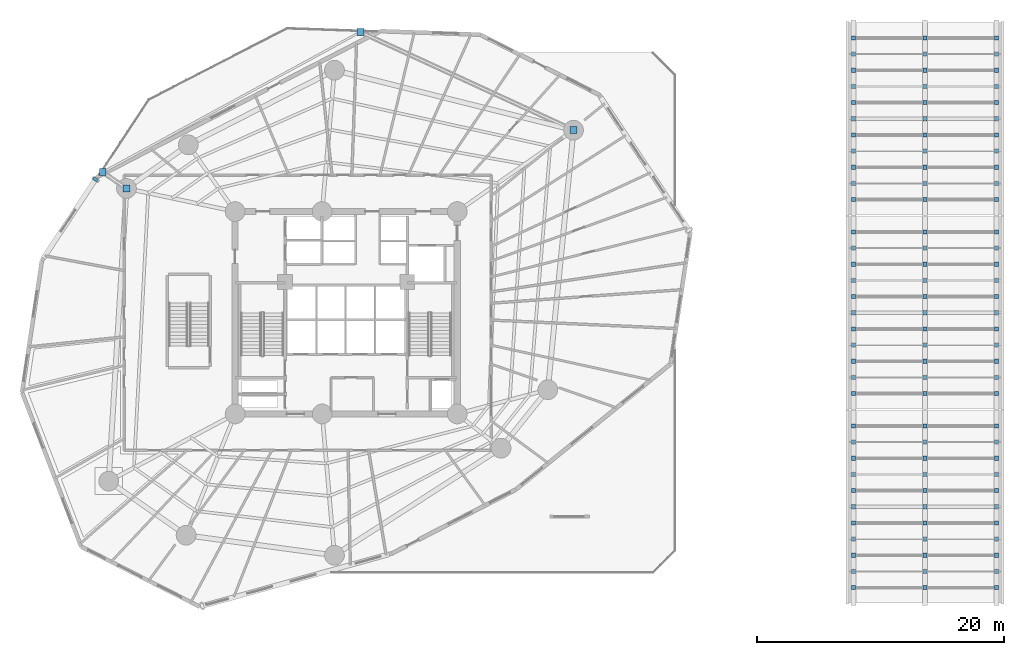
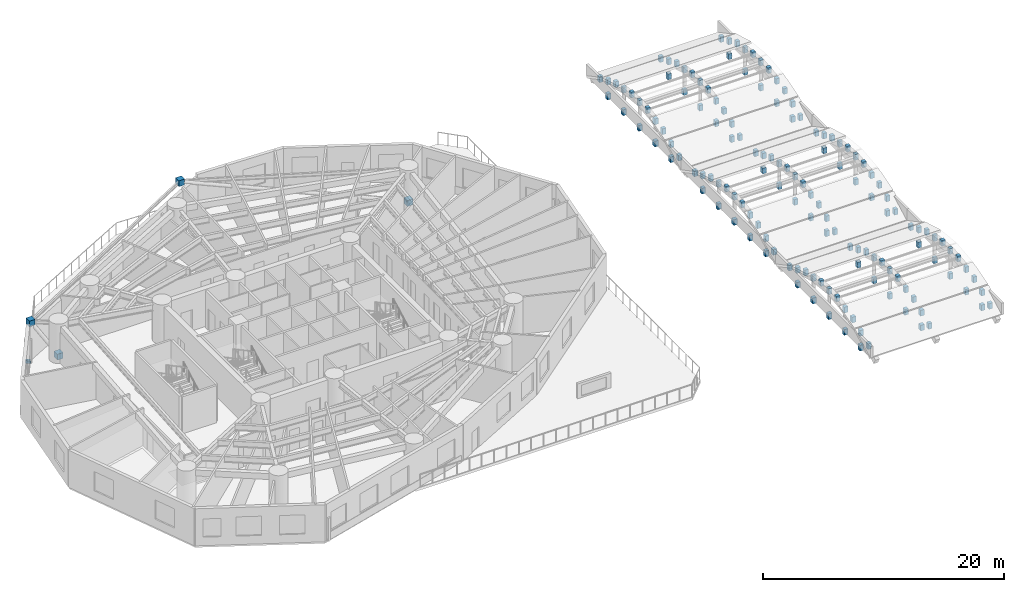
# One storey, part 12 of 16: 149 discrete accessories.
"""IFC4 building model written with IfcOpenShell, lengths in metres."""

from ifc_helpers import new_model, si_unit, direction, frame, origin, origin_with_axes, origin_2d, place, context, subcontext, project, spatial, rectangle, extrude, source, transform, mapped, material, type_object, element, save


model = new_model("IFC4")

# Units and contexts
model_context = context("Model", 3, precision=1e-05, world=origin(), true_north=direction((0.0, 1.0)))
body_context = subcontext(model_context, "Body", "Model", "MODEL_VIEW")
ifc_project = project(units=[si_unit("LENGTHUNIT", "METRE"), si_unit("AREAUNIT", "SQUARE_METRE"), si_unit("VOLUMEUNIT", "CUBIC_METRE"), si_unit("PLANEANGLEUNIT", "RADIAN"), si_unit("MASSUNIT", "GRAM", prefix="KILO")], contexts=[model_context])

# Site, building, storey
site_placement = place(None, origin())
site = spatial("IfcSite", under=ifc_project, at=site_placement, CompositionType="ELEMENT")
building_placement = place(site_placement, origin())
building = spatial("IfcBuilding", under=site, at=building_placement, Name="Karkom Vertical University and Central Library", CompositionType="ELEMENT")
storey_placement = place(building_placement, frame((0.0, 0.0, 22.5)))
storey = spatial("IfcBuildingStorey", under=building, at=storey_placement, Name="L05", CompositionType="ELEMENT", Elevation=22.5)

# Discrete accessories
ifc_material_1 = material(Name="Ductile cast iron EN-GJS-400-15", Category="metal")
discrete_accessory_type_1 = type_object("IfcDiscreteAccessoryType", Name="STR-ACC-NODECAP", PredefinedType="BRACKET", material=ifc_material_1)
shared_shape_1 = source(origin_with_axes(), body_context, "Body", "SweptSolid", [
    extrude(rectangle(XDim=0.340087890625, YDim=0.340087890625, at=origin_2d()), origin(), (0.0, 0.0, 1.0), 0.580078125),
])
for number, where, z_axis, x_axis, name in (
    (1, (69.60009765625, 4.22998046875, 0.012451171875), (0.0, 0.0, 1.0), (1.0, 0.0, 0.0), "Level 05 Cast Node Connector Level 05-LIB-VAULT1-PURLIN-1-1 A"),
    (2, (75.39990234375, 4.22998046875, 0.012451171875), (0.0, 0.0, 1.0), (1.0, 0.0, 0.0), "Level 05 Cast Node Connector Level 05-LIB-VAULT1-PURLIN-1-1 B"),
    (3, (81.199951171875, 4.22998046875, 0.012451171875), (0.0, 0.0, 1.0), (1.0, 0.0, 0.0), "Level 05 Cast Node Connector Level 05-LIB-VAULT1-PURLIN-1-2 B"),
    (4, (69.60009765625, 6.85009765625, 1.10498046875), (0.0, 0.0, 1.0), (1.0, 0.0, 0.0), "Level 05 Cast Node Connector Level 05-LIB-VAULT1-PURLIN-2-1 A"),
    (5, (75.39990234375, 6.85009765625, 1.10498046875), (0.0, 0.0, 1.0), (1.0, 0.0, 0.0), "Level 05 Cast Node Connector Level 05-LIB-VAULT1-PURLIN-2-1 B"),
    (6, (81.199951171875, 6.85009765625, 1.10498046875), (0.0, 0.0, 1.0), (1.0, 0.0, 0.0), "Level 05 Cast Node Connector Level 05-LIB-VAULT1-PURLIN-2-2 B"),
    (7, (69.60009765625, 9.469970703125, 1.6259765625), (0.0, 0.0, 1.0), (1.0, 0.0, 0.0), "Level 05 Cast Node Connector Level 05-LIB-VAULT1-PURLIN-3-1 A"),
    (8, (75.39990234375, 9.469970703125, 1.6259765625), (0.0, 0.0, 1.0), (1.0, 0.0, 0.0), "Level 05 Cast Node Connector Level 05-LIB-VAULT1-PURLIN-3-1 B"),
    (9, (81.199951171875, 9.469970703125, 1.6259765625), (0.0, 0.0, 1.0), (1.0, 0.0, 0.0), "Level 05 Cast Node Connector Level 05-LIB-VAULT1-PURLIN-3-2 B"),
    (10, (69.60009765625, 12.090087890625, 1.6259765625), (0.0, 0.0, 1.0), (1.0, 0.0, 0.0), "Level 05 Cast Node Connector Level 05-LIB-VAULT1-PURLIN-4-1 A"),
    (11, (75.39990234375, 12.090087890625, 1.6259765625), (0.0, 0.0, 1.0), (1.0, 0.0, 0.0), "Level 05 Cast Node Connector Level 05-LIB-VAULT1-PURLIN-4-1 B"),
    (12, (81.199951171875, 12.090087890625, 1.6259765625), (0.0, 0.0, 1.0), (1.0, 0.0, 0.0), "Level 05 Cast Node Connector Level 05-LIB-VAULT1-PURLIN-4-2 B"),
    (13, (69.60009765625, 14.7099609375, 1.10498046875), (0.0, 0.0, 1.0), (1.0, 0.0, 0.0), "Level 05 Cast Node Connector Level 05-LIB-VAULT1-PURLIN-5-1 A"),
    (14, (75.39990234375, 14.7099609375, 1.10498046875), (0.0, 0.0, 1.0), (1.0, 0.0, 0.0), "Level 05 Cast Node Connector Level 05-LIB-VAULT1-PURLIN-5-1 B"),
    (15, (81.199951171875, 14.7099609375, 1.10498046875), (0.0, 0.0, 1.0), (1.0, 0.0, 0.0), "Level 05 Cast Node Connector Level 05-LIB-VAULT1-PURLIN-5-2 B"),
    (16, (69.60009765625, 17.330078125, 0.012451171875), (0.0, 0.0, 1.0), (1.0, 0.0, 0.0), "Level 05 Cast Node Connector Level 05-LIB-VAULT1-PURLIN-6-1 A"),
    (17, (75.39990234375, 17.330078125, 0.012451171875), (0.0, 0.0, 1.0), (1.0, 0.0, 0.0), "Level 05 Cast Node Connector Level 05-LIB-VAULT1-PURLIN-6-1 B"),
    (18, (81.199951171875, 17.330078125, 0.012451171875), (0.0, 0.0, 1.0), (1.0, 0.0, 0.0), "Level 05 Cast Node Connector Level 05-LIB-VAULT1-PURLIN-6-2 B"),
    (19, (69.60009765625, 5.5400390625, -0.93994140625), (0.0, 0.0, 1.0), (1.0, 0.0, 0.0), "Level 05 Cast Node Connector Level 05-LIB-VAULT1-POST-1-1 A"),
    (20, (69.60009765625, 5.5400390625, 0.56298828125), (0.0, 0.0, 1.0), (1.0, 0.0, 0.0), "Level 05 Cast Node Connector Level 05-LIB-VAULT1-POST-1-1 B"),
    (21, (69.60009765625, 8.159912109375, -0.93994140625), (0.0, 0.0, 1.0), (1.0, 0.0, 0.0), "Level 05 Cast Node Connector Level 05-LIB-VAULT1-POST-1-2 A"),
    (22, (69.60009765625, 8.159912109375, 1.314453125), (0.0, 0.0, 1.0), (1.0, 0.0, 0.0), "Level 05 Cast Node Connector Level 05-LIB-VAULT1-POST-1-2 B"),
    (23, (69.60009765625, 10.780029296875, -0.93994140625), (0.0, 0.0, 1.0), (1.0, 0.0, 0.0), "Level 05 Cast Node Connector Level 05-LIB-VAULT1-POST-1-3 A"),
    (24, (69.60009765625, 10.780029296875, 1.58984375), (0.0, 0.0, 1.0), (1.0, 0.0, 0.0), "Level 05 Cast Node Connector Level 05-LIB-VAULT1-POST-1-3 B"),
    (25, (69.60009765625, 13.39990234375, -0.93994140625), (0.0, 0.0, 1.0), (1.0, 0.0, 0.0), "Level 05 Cast Node Connector Level 05-LIB-VAULT1-POST-1-4 A"),
    (26, (69.60009765625, 13.39990234375, 1.314453125), (0.0, 0.0, 1.0), (1.0, 0.0, 0.0), "Level 05 Cast Node Connector Level 05-LIB-VAULT1-POST-1-4 B"),
    (27, (69.60009765625, 16.02001953125, -0.93994140625), (0.0, 0.0, 1.0), (1.0, 0.0, 0.0), "Level 05 Cast Node Connector Level 05-LIB-VAULT1-POST-1-5 A"),
    (28, (69.60009765625, 16.02001953125, 0.56298828125), (0.0, 0.0, 1.0), (1.0, 0.0, 0.0), "Level 05 Cast Node Connector Level 05-LIB-VAULT1-POST-1-5 B"),
    (29, (75.39990234375, 5.5400390625, -0.93994140625), (0.0, 0.0, 1.0), (1.0, 0.0, 0.0), "Level 05 Cast Node Connector Level 05-LIB-VAULT1-POST-2-1 A"),
    (30, (75.39990234375, 5.5400390625, 0.56298828125), (0.0, 0.0, 1.0), (1.0, 0.0, 0.0), "Level 05 Cast Node Connector Level 05-LIB-VAULT1-POST-2-1 B"),
    (31, (75.39990234375, 8.159912109375, -0.93994140625), (0.0, 0.0, 1.0), (1.0, 0.0, 0.0), "Level 05 Cast Node Connector Level 05-LIB-VAULT1-POST-2-2 A"),
    (32, (75.39990234375, 8.159912109375, 1.314453125), (0.0, 0.0, 1.0), (1.0, 0.0, 0.0), "Level 05 Cast Node Connector Level 05-LIB-VAULT1-POST-2-2 B"),
    (33, (75.39990234375, 10.780029296875, -0.93994140625), (0.0, 0.0, 1.0), (1.0, 0.0, 0.0), "Level 05 Cast Node Connector Level 05-LIB-VAULT1-POST-2-3 A"),
    (34, (75.39990234375, 10.780029296875, 1.58984375), (0.0, 0.0, 1.0), (1.0, 0.0, 0.0), "Level 05 Cast Node Connector Level 05-LIB-VAULT1-POST-2-3 B"),
    (35, (75.39990234375, 13.39990234375, -0.93994140625), (0.0, 0.0, 1.0), (1.0, 0.0, 0.0), "Level 05 Cast Node Connector Level 05-LIB-VAULT1-POST-2-4 A"),
    (36, (75.39990234375, 13.39990234375, 1.314453125), (0.0, 0.0, 1.0), (1.0, 0.0, 0.0), "Level 05 Cast Node Connector Level 05-LIB-VAULT1-POST-2-4 B"),
    (37, (75.39990234375, 16.02001953125, -0.93994140625), (0.0, 0.0, 1.0), (1.0, 0.0, 0.0), "Level 05 Cast Node Connector Level 05-LIB-VAULT1-POST-2-5 A"),
    (38, (75.39990234375, 16.02001953125, 0.56298828125), (0.0, 0.0, 1.0), (1.0, 0.0, 0.0), "Level 05 Cast Node Connector Level 05-LIB-VAULT1-POST-2-5 B"),
    (39, (81.199951171875, 5.5400390625, -0.93994140625), (0.0, 0.0, 1.0), (1.0, 0.0, 0.0), "Level 05 Cast Node Connector Level 05-LIB-VAULT1-POST-3-1 A"),
    (40, (81.199951171875, 5.5400390625, 0.56298828125), (0.0, 0.0, 1.0), (1.0, 0.0, 0.0), "Level 05 Cast Node Connector Level 05-LIB-VAULT1-POST-3-1 B"),
    (41, (81.199951171875, 8.159912109375, -0.93994140625), (0.0, 0.0, 1.0), (1.0, 0.0, 0.0), "Level 05 Cast Node Connector Level 05-LIB-VAULT1-POST-3-2 A"),
    (42, (81.199951171875, 8.159912109375, 1.314453125), (0.0, 0.0, 1.0), (1.0, 0.0, 0.0), "Level 05 Cast Node Connector Level 05-LIB-VAULT1-POST-3-2 B"),
    (43, (81.199951171875, 10.780029296875, -0.93994140625), (0.0, 0.0, 1.0), (1.0, 0.0, 0.0), "Level 05 Cast Node Connector Level 05-LIB-VAULT1-POST-3-3 A"),
    (44, (81.199951171875, 10.780029296875, 1.58984375), (0.0, 0.0, 1.0), (1.0, 0.0, 0.0), "Level 05 Cast Node Connector Level 05-LIB-VAULT1-POST-3-3 B"),
    (45, (81.199951171875, 13.39990234375, -0.93994140625), (0.0, 0.0, 1.0), (1.0, 0.0, 0.0), "Level 05 Cast Node Connector Level 05-LIB-VAULT1-POST-3-4 A"),
    (46, (81.199951171875, 13.39990234375, 1.314453125), (0.0, 0.0, 1.0), (1.0, 0.0, 0.0), "Level 05 Cast Node Connector Level 05-LIB-VAULT1-POST-3-4 B"),
    (47, (81.199951171875, 16.02001953125, -0.93994140625), (0.0, 0.0, 1.0), (1.0, 0.0, 0.0), "Level 05 Cast Node Connector Level 05-LIB-VAULT1-POST-3-5 A"),
    (48, (81.199951171875, 16.02001953125, 0.56298828125), (0.0, 0.0, 1.0), (1.0, 0.0, 0.0), "Level 05 Cast Node Connector Level 05-LIB-VAULT1-POST-3-5 B"),
    (49, (69.60009765625, 19.949951171875, 0.012451171875), (0.0, 0.0, 1.0), (1.0, 0.0, 0.0), "Level 05 Cast Node Connector Level 05-LIB-VAULT2-PURLIN-1-1 A"),
    (50, (75.39990234375, 19.949951171875, 0.012451171875), (0.0, 0.0, 1.0), (1.0, 0.0, 0.0), "Level 05 Cast Node Connector Level 05-LIB-VAULT2-PURLIN-1-1 B"),
    (51, (81.199951171875, 19.949951171875, 0.012451171875), (0.0, 0.0, 1.0), (1.0, 0.0, 0.0), "Level 05 Cast Node Connector Level 05-LIB-VAULT2-PURLIN-1-2 B"),
    (52, (69.60009765625, 22.570068359375, 1.10498046875), (0.0, 0.0, 1.0), (1.0, 0.0, 0.0), "Level 05 Cast Node Connector Level 05-LIB-VAULT2-PURLIN-2-1 A"),
    (53, (75.39990234375, 22.570068359375, 1.10498046875), (0.0, 0.0, 1.0), (1.0, 0.0, 0.0), "Level 05 Cast Node Connector Level 05-LIB-VAULT2-PURLIN-2-1 B"),
    (54, (81.199951171875, 22.570068359375, 1.10498046875), (0.0, 0.0, 1.0), (1.0, 0.0, 0.0), "Level 05 Cast Node Connector Level 05-LIB-VAULT2-PURLIN-2-2 B"),
    (55, (69.60009765625, 25.18994140625, 1.6259765625), (0.0, 0.0, 1.0), (1.0, 0.0, 0.0), "Level 05 Cast Node Connector Level 05-LIB-VAULT2-PURLIN-3-1 A"),
    (56, (75.39990234375, 25.18994140625, 1.6259765625), (0.0, 0.0, 1.0), (1.0, 0.0, 0.0), "Level 05 Cast Node Connector Level 05-LIB-VAULT2-PURLIN-3-1 B"),
    (57, (81.199951171875, 25.18994140625, 1.6259765625), (0.0, 0.0, 1.0), (1.0, 0.0, 0.0), "Level 05 Cast Node Connector Level 05-LIB-VAULT2-PURLIN-3-2 B"),
    (58, (69.60009765625, 27.81005859375, 1.6259765625), (0.0, 0.0, 1.0), (1.0, 0.0, 0.0), "Level 05 Cast Node Connector Level 05-LIB-VAULT2-PURLIN-4-1 A"),
    (59, (75.39990234375, 27.81005859375, 1.6259765625), (0.0, 0.0, 1.0), (1.0, 0.0, 0.0), "Level 05 Cast Node Connector Level 05-LIB-VAULT2-PURLIN-4-1 B"),
    (60, (81.199951171875, 27.81005859375, 1.6259765625), (0.0, 0.0, 1.0), (1.0, 0.0, 0.0), "Level 05 Cast Node Connector Level 05-LIB-VAULT2-PURLIN-4-2 B"),
    (61, (69.60009765625, 30.429931640625, 1.10498046875), (0.0, 0.0, 1.0), (1.0, 0.0, 0.0), "Level 05 Cast Node Connector Level 05-LIB-VAULT2-PURLIN-5-1 A"),
    (62, (75.39990234375, 30.429931640625, 1.10498046875), (0.0, 0.0, 1.0), (1.0, 0.0, 0.0), "Level 05 Cast Node Connector Level 05-LIB-VAULT2-PURLIN-5-1 B"),
    (63, (81.199951171875, 30.429931640625, 1.10498046875), (0.0, 0.0, 1.0), (1.0, 0.0, 0.0), "Level 05 Cast Node Connector Level 05-LIB-VAULT2-PURLIN-5-2 B"),
    (64, (69.60009765625, 33.050048828125, 0.012451171875), (0.0, 0.0, 1.0), (1.0, 0.0, 0.0), "Level 05 Cast Node Connector Level 05-LIB-VAULT2-PURLIN-6-1 A"),
    (65, (75.39990234375, 33.050048828125, 0.012451171875), (0.0, 0.0, 1.0), (1.0, 0.0, 0.0), "Level 05 Cast Node Connector Level 05-LIB-VAULT2-PURLIN-6-1 B"),
    (66, (81.199951171875, 33.050048828125, 0.012451171875), (0.0, 0.0, 1.0), (1.0, 0.0, 0.0), "Level 05 Cast Node Connector Level 05-LIB-VAULT2-PURLIN-6-2 B"),
    (67, (69.60009765625, 21.260009765625, -0.93994140625), (0.0, 0.0, 1.0), (1.0, 0.0, 0.0), "Level 05 Cast Node Connector Level 05-LIB-VAULT2-POST-1-1 A"),
    (68, (69.60009765625, 21.260009765625, 0.56298828125), (0.0, 0.0, 1.0), (1.0, 0.0, 0.0), "Level 05 Cast Node Connector Level 05-LIB-VAULT2-POST-1-1 B"),
    (69, (69.60009765625, 23.8798828125, -0.93994140625), (0.0, 0.0, 1.0), (1.0, 0.0, 0.0), "Level 05 Cast Node Connector Level 05-LIB-VAULT2-POST-1-2 A"),
    (70, (69.60009765625, 23.8798828125, 1.314453125), (0.0, 0.0, 1.0), (1.0, 0.0, 0.0), "Level 05 Cast Node Connector Level 05-LIB-VAULT2-POST-1-2 B"),
    (71, (69.60009765625, 26.5, -0.93994140625), (0.0, 0.0, 1.0), (1.0, 0.0, 0.0), "Level 05 Cast Node Connector Level 05-LIB-VAULT2-POST-1-3 A"),
    (72, (69.60009765625, 26.5, 1.58984375), (0.0, 0.0, 1.0), (1.0, 0.0, 0.0), "Level 05 Cast Node Connector Level 05-LIB-VAULT2-POST-1-3 B"),
    (73, (69.60009765625, 29.1201171875, -0.93994140625), (0.0, 0.0, 1.0), (1.0, 0.0, 0.0), "Level 05 Cast Node Connector Level 05-LIB-VAULT2-POST-1-4 A"),
    (74, (69.60009765625, 29.1201171875, 1.314453125), (0.0, 0.0, 1.0), (1.0, 0.0, 0.0), "Level 05 Cast Node Connector Level 05-LIB-VAULT2-POST-1-4 B"),
    (75, (69.60009765625, 31.739990234375, -0.93994140625), (0.0, 0.0, 1.0), (1.0, 0.0, 0.0), "Level 05 Cast Node Connector Level 05-LIB-VAULT2-POST-1-5 A"),
    (76, (69.60009765625, 31.739990234375, 0.56298828125), (0.0, 0.0, 1.0), (1.0, 0.0, 0.0), "Level 05 Cast Node Connector Level 05-LIB-VAULT2-POST-1-5 B"),
    (77, (75.39990234375, 21.260009765625, -0.93994140625), (0.0, 0.0, 1.0), (1.0, 0.0, 0.0), "Level 05 Cast Node Connector Level 05-LIB-VAULT2-POST-2-1 A"),
    (78, (75.39990234375, 21.260009765625, 0.56298828125), (0.0, 0.0, 1.0), (1.0, 0.0, 0.0), "Level 05 Cast Node Connector Level 05-LIB-VAULT2-POST-2-1 B"),
    (79, (75.39990234375, 23.8798828125, -0.93994140625), (0.0, 0.0, 1.0), (1.0, 0.0, 0.0), "Level 05 Cast Node Connector Level 05-LIB-VAULT2-POST-2-2 A"),
    (80, (75.39990234375, 23.8798828125, 1.314453125), (0.0, 0.0, 1.0), (1.0, 0.0, 0.0), "Level 05 Cast Node Connector Level 05-LIB-VAULT2-POST-2-2 B"),
    (81, (75.39990234375, 26.5, -0.93994140625), (0.0, 0.0, 1.0), (1.0, 0.0, 0.0), "Level 05 Cast Node Connector Level 05-LIB-VAULT2-POST-2-3 A"),
    (82, (75.39990234375, 26.5, 1.58984375), (0.0, 0.0, 1.0), (1.0, 0.0, 0.0), "Level 05 Cast Node Connector Level 05-LIB-VAULT2-POST-2-3 B"),
    (83, (75.39990234375, 29.1201171875, -0.93994140625), (0.0, 0.0, 1.0), (1.0, 0.0, 0.0), "Level 05 Cast Node Connector Level 05-LIB-VAULT2-POST-2-4 A"),
    (84, (75.39990234375, 29.1201171875, 1.314453125), (0.0, 0.0, 1.0), (1.0, 0.0, 0.0), "Level 05 Cast Node Connector Level 05-LIB-VAULT2-POST-2-4 B"),
    (85, (75.39990234375, 31.739990234375, -0.93994140625), (0.0, 0.0, 1.0), (1.0, 0.0, 0.0), "Level 05 Cast Node Connector Level 05-LIB-VAULT2-POST-2-5 A"),
    (86, (75.39990234375, 31.739990234375, 0.56298828125), (0.0, 0.0, 1.0), (1.0, 0.0, 0.0), "Level 05 Cast Node Connector Level 05-LIB-VAULT2-POST-2-5 B"),
    (87, (81.199951171875, 21.260009765625, -0.93994140625), (0.0, 0.0, 1.0), (1.0, 0.0, 0.0), "Level 05 Cast Node Connector Level 05-LIB-VAULT2-POST-3-1 A"),
    (88, (81.199951171875, 21.260009765625, 0.56298828125), (0.0, 0.0, 1.0), (1.0, 0.0, 0.0), "Level 05 Cast Node Connector Level 05-LIB-VAULT2-POST-3-1 B"),
    (89, (81.199951171875, 23.8798828125, -0.93994140625), (0.0, 0.0, 1.0), (1.0, 0.0, 0.0), "Level 05 Cast Node Connector Level 05-LIB-VAULT2-POST-3-2 A"),
    (90, (81.199951171875, 23.8798828125, 1.314453125), (0.0, 0.0, 1.0), (1.0, 0.0, 0.0), "Level 05 Cast Node Connector Level 05-LIB-VAULT2-POST-3-2 B"),
    (91, (81.199951171875, 26.5, -0.93994140625), (0.0, 0.0, 1.0), (1.0, 0.0, 0.0), "Level 05 Cast Node Connector Level 05-LIB-VAULT2-POST-3-3 A"),
    (92, (81.199951171875, 26.5, 1.58984375), (0.0, 0.0, 1.0), (1.0, 0.0, 0.0), "Level 05 Cast Node Connector Level 05-LIB-VAULT2-POST-3-3 B"),
    (93, (81.199951171875, 29.1201171875, -0.93994140625), (0.0, 0.0, 1.0), (1.0, 0.0, 0.0), "Level 05 Cast Node Connector Level 05-LIB-VAULT2-POST-3-4 A"),
    (94, (81.199951171875, 29.1201171875, 1.314453125), (0.0, 0.0, 1.0), (1.0, 0.0, 0.0), "Level 05 Cast Node Connector Level 05-LIB-VAULT2-POST-3-4 B"),
    (95, (81.199951171875, 31.739990234375, -0.93994140625), (0.0, 0.0, 1.0), (1.0, 0.0, 0.0), "Level 05 Cast Node Connector Level 05-LIB-VAULT2-POST-3-5 A"),
    (96, (81.199951171875, 31.739990234375, 0.56298828125), (0.0, 0.0, 1.0), (1.0, 0.0, 0.0), "Level 05 Cast Node Connector Level 05-LIB-VAULT2-POST-3-5 B"),
    (97, (69.60009765625, 35.669921875, 0.012451171875), (0.0, 0.0, 1.0), (1.0, 0.0, 0.0), "Level 05 Cast Node Connector Level 05-LIB-VAULT3-PURLIN-1-1 A"),
    (98, (75.39990234375, 35.669921875, 0.012451171875), (0.0, 0.0, 1.0), (1.0, 0.0, 0.0), "Level 05 Cast Node Connector Level 05-LIB-VAULT3-PURLIN-1-1 B"),
    (99, (81.199951171875, 35.669921875, 0.012451171875), (0.0, 0.0, 1.0), (1.0, 0.0, 0.0), "Level 05 Cast Node Connector Level 05-LIB-VAULT3-PURLIN-1-2 B"),
    (100, (69.60009765625, 38.2900390625, 1.10498046875), (0.0, 0.0, 1.0), (1.0, 0.0, 0.0), "Level 05 Cast Node Connector Level 05-LIB-VAULT3-PURLIN-2-1 A"),
    (101, (75.39990234375, 38.2900390625, 1.10498046875), (0.0, 0.0, 1.0), (1.0, 0.0, 0.0), "Level 05 Cast Node Connector Level 05-LIB-VAULT3-PURLIN-2-1 B"),
    (102, (81.199951171875, 38.2900390625, 1.10498046875), (0.0, 0.0, 1.0), (1.0, 0.0, 0.0), "Level 05 Cast Node Connector Level 05-LIB-VAULT3-PURLIN-2-2 B"),
    (103, (69.60009765625, 40.909912109375, 1.6259765625), (0.0, 0.0, 1.0), (1.0, 0.0, 0.0), "Level 05 Cast Node Connector Level 05-LIB-VAULT3-PURLIN-3-1 A"),
    (104, (75.39990234375, 40.909912109375, 1.6259765625), (0.0, 0.0, 1.0), (1.0, 0.0, 0.0), "Level 05 Cast Node Connector Level 05-LIB-VAULT3-PURLIN-3-1 B"),
    (105, (81.199951171875, 40.909912109375, 1.6259765625), (0.0, 0.0, 1.0), (1.0, 0.0, 0.0), "Level 05 Cast Node Connector Level 05-LIB-VAULT3-PURLIN-3-2 B"),
    (106, (69.60009765625, 43.530029296875, 1.6259765625), (0.0, 0.0, 1.0), (1.0, 0.0, 0.0), "Level 05 Cast Node Connector Level 05-LIB-VAULT3-PURLIN-4-1 A"),
    (107, (75.39990234375, 43.530029296875, 1.6259765625), (0.0, 0.0, 1.0), (1.0, 0.0, 0.0), "Level 05 Cast Node Connector Level 05-LIB-VAULT3-PURLIN-4-1 B"),
    (108, (81.199951171875, 43.530029296875, 1.6259765625), (0.0, 0.0, 1.0), (1.0, 0.0, 0.0), "Level 05 Cast Node Connector Level 05-LIB-VAULT3-PURLIN-4-2 B"),
    (109, (69.60009765625, 46.14990234375, 1.10498046875), (0.0, 0.0, 1.0), (1.0, 0.0, 0.0), "Level 05 Cast Node Connector Level 05-LIB-VAULT3-PURLIN-5-1 A"),
    (110, (75.39990234375, 46.14990234375, 1.10498046875), (0.0, 0.0, 1.0), (1.0, 0.0, 0.0), "Level 05 Cast Node Connector Level 05-LIB-VAULT3-PURLIN-5-1 B"),
    (111, (81.199951171875, 46.14990234375, 1.10498046875), (0.0, 0.0, 1.0), (1.0, 0.0, 0.0), "Level 05 Cast Node Connector Level 05-LIB-VAULT3-PURLIN-5-2 B"),
    (112, (69.60009765625, 48.77001953125, 0.012451171875), (0.0, 0.0, 1.0), (1.0, 0.0, 0.0), "Level 05 Cast Node Connector Level 05-LIB-VAULT3-PURLIN-6-1 A"),
    (113, (75.39990234375, 48.77001953125, 0.012451171875), (0.0, 0.0, 1.0), (1.0, 0.0, 0.0), "Level 05 Cast Node Connector Level 05-LIB-VAULT3-PURLIN-6-1 B"),
    (114, (81.199951171875, 48.77001953125, 0.012451171875), (0.0, 0.0, 1.0), (1.0, 0.0, 0.0), "Level 05 Cast Node Connector Level 05-LIB-VAULT3-PURLIN-6-2 B"),
    (115, (69.60009765625, 36.97998046875, -0.93994140625), (0.0, 0.0, 1.0), (1.0, 0.0, 0.0), "Level 05 Cast Node Connector Level 05-LIB-VAULT3-POST-1-1 A"),
    (116, (69.60009765625, 36.97998046875, 0.56298828125), (0.0, 0.0, 1.0), (1.0, 0.0, 0.0), "Level 05 Cast Node Connector Level 05-LIB-VAULT3-POST-1-1 B"),
    (117, (69.60009765625, 39.60009765625, -0.93994140625), (0.0, 0.0, 1.0), (1.0, 0.0, 0.0), "Level 05 Cast Node Connector Level 05-LIB-VAULT3-POST-1-2 A"),
    (118, (69.60009765625, 39.60009765625, 1.314453125), (0.0, 0.0, 1.0), (1.0, 0.0, 0.0), "Level 05 Cast Node Connector Level 05-LIB-VAULT3-POST-1-2 B"),
    (119, (69.60009765625, 42.219970703125, -0.93994140625), (0.0, 0.0, 1.0), (1.0, 0.0, 0.0), "Level 05 Cast Node Connector Level 05-LIB-VAULT3-POST-1-3 A"),
    (120, (69.60009765625, 42.219970703125, 1.58984375), (0.0, 0.0, 1.0), (1.0, 0.0, 0.0), "Level 05 Cast Node Connector Level 05-LIB-VAULT3-POST-1-3 B"),
    (121, (69.60009765625, 44.840087890625, -0.93994140625), (0.0, 0.0, 1.0), (1.0, 0.0, 0.0), "Level 05 Cast Node Connector Level 05-LIB-VAULT3-POST-1-4 A"),
    (122, (69.60009765625, 44.840087890625, 1.314453125), (0.0, 0.0, 1.0), (1.0, 0.0, 0.0), "Level 05 Cast Node Connector Level 05-LIB-VAULT3-POST-1-4 B"),
    (123, (69.60009765625, 47.4599609375, -0.93994140625), (0.0, 0.0, 1.0), (1.0, 0.0, 0.0), "Level 05 Cast Node Connector Level 05-LIB-VAULT3-POST-1-5 A"),
    (124, (69.60009765625, 47.4599609375, 0.56298828125), (0.0, 0.0, 1.0), (1.0, 0.0, 0.0), "Level 05 Cast Node Connector Level 05-LIB-VAULT3-POST-1-5 B"),
    (125, (75.39990234375, 36.97998046875, -0.93994140625), (0.0, 0.0, 1.0), (1.0, 0.0, 0.0), "Level 05 Cast Node Connector Level 05-LIB-VAULT3-POST-2-1 A"),
    (126, (75.39990234375, 36.97998046875, 0.56298828125), (0.0, 0.0, 1.0), (1.0, 0.0, 0.0), "Level 05 Cast Node Connector Level 05-LIB-VAULT3-POST-2-1 B"),
    (127, (75.39990234375, 39.60009765625, -0.93994140625), (0.0, 0.0, 1.0), (1.0, 0.0, 0.0), "Level 05 Cast Node Connector Level 05-LIB-VAULT3-POST-2-2 A"),
    (128, (75.39990234375, 39.60009765625, 1.314453125), (0.0, 0.0, 1.0), (1.0, 0.0, 0.0), "Level 05 Cast Node Connector Level 05-LIB-VAULT3-POST-2-2 B"),
    (129, (75.39990234375, 42.219970703125, -0.93994140625), (0.0, 0.0, 1.0), (1.0, 0.0, 0.0), "Level 05 Cast Node Connector Level 05-LIB-VAULT3-POST-2-3 A"),
    (130, (75.39990234375, 42.219970703125, 1.58984375), (0.0, 0.0, 1.0), (1.0, 0.0, 0.0), "Level 05 Cast Node Connector Level 05-LIB-VAULT3-POST-2-3 B"),
    (131, (75.39990234375, 44.840087890625, -0.93994140625), (0.0, 0.0, 1.0), (1.0, 0.0, 0.0), "Level 05 Cast Node Connector Level 05-LIB-VAULT3-POST-2-4 A"),
    (132, (75.39990234375, 44.840087890625, 1.314453125), (0.0, 0.0, 1.0), (1.0, 0.0, 0.0), "Level 05 Cast Node Connector Level 05-LIB-VAULT3-POST-2-4 B"),
    (133, (75.39990234375, 47.4599609375, -0.93994140625), (0.0, 0.0, 1.0), (1.0, 0.0, 0.0), "Level 05 Cast Node Connector Level 05-LIB-VAULT3-POST-2-5 A"),
    (134, (75.39990234375, 47.4599609375, 0.56298828125), (0.0, 0.0, 1.0), (1.0, 0.0, 0.0), "Level 05 Cast Node Connector Level 05-LIB-VAULT3-POST-2-5 B"),
    (135, (81.199951171875, 36.97998046875, -0.93994140625), (0.0, 0.0, 1.0), (1.0, 0.0, 0.0), "Level 05 Cast Node Connector Level 05-LIB-VAULT3-POST-3-1 A"),
    (136, (81.199951171875, 36.97998046875, 0.56298828125), (0.0, 0.0, 1.0), (1.0, 0.0, 0.0), "Level 05 Cast Node Connector Level 05-LIB-VAULT3-POST-3-1 B"),
    (137, (81.199951171875, 39.60009765625, -0.93994140625), (0.0, 0.0, 1.0), (1.0, 0.0, 0.0), "Level 05 Cast Node Connector Level 05-LIB-VAULT3-POST-3-2 A"),
    (138, (81.199951171875, 39.60009765625, 1.314453125), (0.0, 0.0, 1.0), (1.0, 0.0, 0.0), "Level 05 Cast Node Connector Level 05-LIB-VAULT3-POST-3-2 B"),
    (139, (81.199951171875, 42.219970703125, -0.93994140625), (0.0, 0.0, 1.0), (1.0, 0.0, 0.0), "Level 05 Cast Node Connector Level 05-LIB-VAULT3-POST-3-3 A"),
    (140, (81.199951171875, 42.219970703125, 1.58984375), (0.0, 0.0, 1.0), (1.0, 0.0, 0.0), "Level 05 Cast Node Connector Level 05-LIB-VAULT3-POST-3-3 B"),
    (141, (81.199951171875, 44.840087890625, -0.93994140625), (0.0, 0.0, 1.0), (1.0, 0.0, 0.0), "Level 05 Cast Node Connector Level 05-LIB-VAULT3-POST-3-4 A"),
    (142, (81.199951171875, 44.840087890625, 1.314453125), (0.0, 0.0, 1.0), (1.0, 0.0, 0.0), "Level 05 Cast Node Connector Level 05-LIB-VAULT3-POST-3-4 B"),
    (143, (81.199951171875, 47.4599609375, -0.93994140625), (0.0, 0.0, 1.0), (1.0, 0.0, 0.0), "Level 05 Cast Node Connector Level 05-LIB-VAULT3-POST-3-5 A"),
    (144, (81.199951171875, 47.4599609375, 0.56298828125), (0.0, 0.0, 1.0), (1.0, 0.0, 0.0), "Level 05 Cast Node Connector Level 05-LIB-VAULT3-POST-3-5 B"),
):
    element("IfcDiscreteAccessory", number, at=place(storey_placement, frame(where, z_axis=z_axis, x_axis=x_axis)), inside=storey, type_object=discrete_accessory_type_1, Name=name, PredefinedType="BRACKET", context=body_context, shape_type="MappedRepresentation", body=[
        mapped(shared_shape_1, transform((0.0, 0.0, 0.0), scale=1.0)),
    ])
shared_shape_2 = source(origin_with_axes(), body_context, "Body", "SweptSolid", [
    extrude(rectangle(XDim=0.56005859375, YDim=0.56005859375, at=origin_2d()), origin(), (0.0, 0.0, 1.0), 0.580078125),
])
for number, where, z_axis, x_axis, name in (
    (145, (46.919921875, 41.2958984375, 0.06005859375), (0.0, 0.0, 1.0), (1.0, 0.0, 0.0), "Level 05 Cast Node Connector Level 05-SKG-KNEE-1 A"),
    (146, (29.6455078125, 49.24951171875, 3.294921875), (0.0, 0.0, 1.0), (1.0, 0.0, 0.0), "Level 05 Cast Node Connector Level 05-SKG-KNEE-1 B"),
    (147, (10.697021484375, 36.571044921875, 0.06005859375), (0.0, 0.0, 1.0), (1.0, 0.0, 0.0), "Level 05 Cast Node Connector Level 05-SKG-KNEE-2 A"),
    (148, (8.772705078125, 37.888427734375, 3.294921875), (0.0, 0.0, 1.0), (1.0, 0.0, 0.0), "Level 05 Cast Node Connector Level 05-SKG-KNEE-2 B"),
):
    element("IfcDiscreteAccessory", number, at=place(storey_placement, frame(where, z_axis=z_axis, x_axis=x_axis)), inside=storey, type_object=discrete_accessory_type_1, Name=name, PredefinedType="BRACKET", context=body_context, shape_type="MappedRepresentation", body=[
        mapped(shared_shape_2, transform((0.0, 0.0, 0.0), scale=1.0)),
    ])
ifc_material_2 = material(Name="Austenitic stainless steel 316", Category="steel")
discrete_accessory_type_2 = type_object("IfcDiscreteAccessoryType", Name="INT-ACC-BRACKET", PredefinedType="BRACKET", material=ifc_material_2)
shared_shape_3 = source(origin_with_axes(), body_context, "Body", "SweptSolid", [
    extrude(rectangle(XDim=0.260009765625, YDim=0.419921875, at=origin_2d()), origin(), (0.0, 0.0, 1.0), 0.260009765625),
])
discrete_accessory_placement = place(storey_placement, frame((8.18212890625, 37.30615234375, 0.0), z_axis=(0.0, 0.0, 1.0), x_axis=(-0.550917789925, -0.834559517796, 0.0)))
element("IfcDiscreteAccessory", 149, at=discrete_accessory_placement, inside=storey, type_object=discrete_accessory_type_2, Name="Level 05 Sun-Breaker Stainless Corbel Bracket 01", PredefinedType="BRACKET", context=body_context, shape_type="MappedRepresentation", body=[
    mapped(shared_shape_3, transform((0.0, 0.0, 0.0), scale=1.0)),
])

save(model, "model.ifc")
